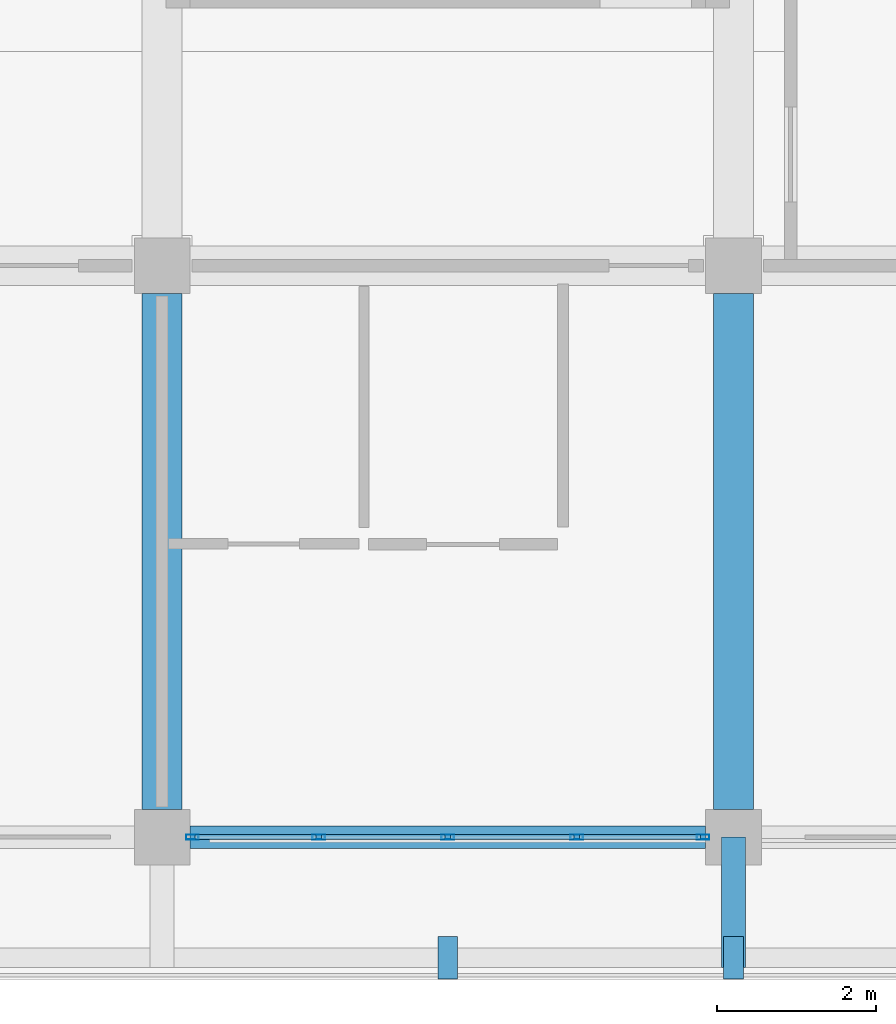
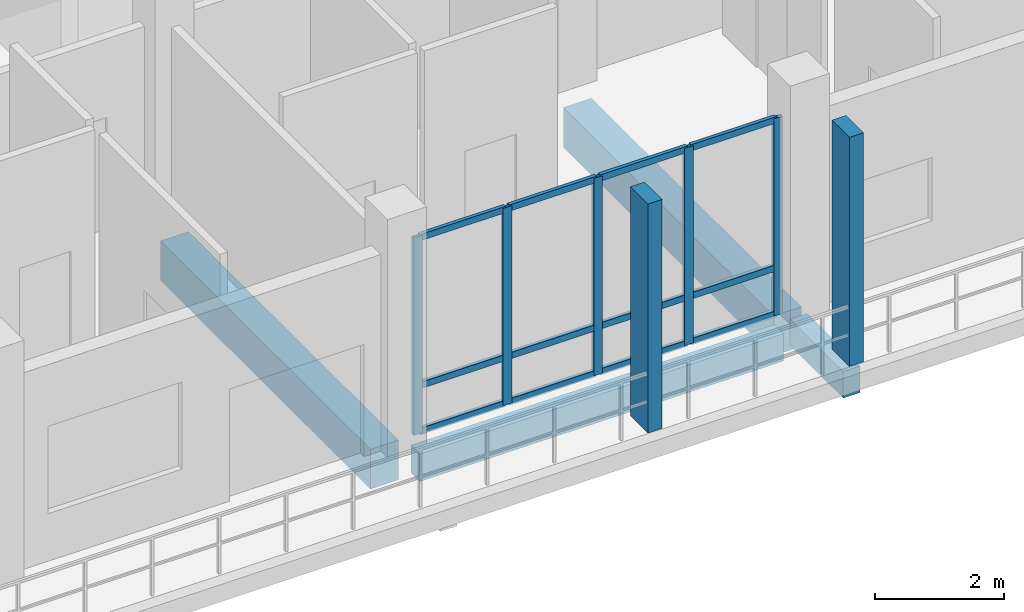
# One storey, part 15 of 110: 19 members, 4 beams, 1 element without a shape of its own.
"""IFC4 building model written with IfcOpenShell, lengths in metres."""

from ifc_helpers import new_model, si_unit, direction, frame, origin, origin_2d, place, context, subcontext, project, spatial, rectangle, hollow_rectangle, extrude, material, material_profile, profile_set, type_object, element, aggregate, save


model = new_model("IFC4")

# Units and contexts
model_context = context("Model", 3, precision=1e-05, world=origin(), true_north=direction((0.0, 1.0)))
body_context = subcontext(model_context, "Body", "Model", "MODEL_VIEW")
ifc_project = project(units=[si_unit("LENGTHUNIT", "METRE"), si_unit("AREAUNIT", "SQUARE_METRE"), si_unit("VOLUMEUNIT", "CUBIC_METRE"), si_unit("PLANEANGLEUNIT", "RADIAN"), si_unit("MASSUNIT", "GRAM", prefix="KILO")], contexts=[model_context])

# Site, building, storey
site_placement = place(None, origin())
site = spatial("IfcSite", under=ifc_project, at=site_placement, CompositionType="ELEMENT")
building_placement = place(site_placement, origin())
building = spatial("IfcBuilding", under=site, at=building_placement, Name="Suanplinth Sawtooth Commons", CompositionType="ELEMENT")
storey_placement = place(building_placement, frame((0.0, 0.0, 4.5)))
storey = spatial("IfcBuildingStorey", under=building, at=storey_placement, Name="L01", CompositionType="ELEMENT", Elevation=4.5)

# Beams
ifc_material_1 = material(Name="Concrete C40/50", Category="concrete")
ifc_material_profile_1 = material_profile(ifc_material_1, rectangle(XDim=0.5, YDim=0.75, at=origin_2d()), Name="RC-GDR 500x750")
ifc_profile_set_1 = profile_set([ifc_material_profile_1], Name="Concrete C40/50")
beam_type_1 = type_object("IfcBeamType", Name="B-03", PredefinedType="USERDEFINED", material=ifc_profile_set_1)
for number, where, z_axis, x_axis, name in (
    (1, (14.39990234375, 0.35009765625, -0.675048828125), (0.0, 1.0, 0.0), (-1.0, 0.0, 0.0), "BMY-L01-D-2-0"),
    (2, (21.60009765625, 0.35009765625, -0.675048828125), (0.0, 1.0, 0.0), (-1.0, 0.0, 0.0), "BMY-L01-D-3-0"),
):
    element("IfcBeam", number, at=place(storey_placement, frame(where, z_axis=z_axis, x_axis=x_axis)), inside=storey, type_object=beam_type_1, Name=name, ObjectType="GIRDER", PredefinedType="USERDEFINED", context=body_context, shape_type="SweptSolid", body=[
        extrude(rectangle(XDim=0.5, YDim=0.75, at=origin_2d()), origin(), (0.0, 0.0, 1.0), 6.5),
    ])
ifc_material_2 = material(Name="Precast concrete C40/50", Category="concrete")
ifc_material_profile_2 = material_profile(ifc_material_2, rectangle(XDim=0.300048828125, YDim=0.5, at=origin_2d()), Name="PC-BM 300x500")
ifc_profile_set_2 = profile_set([ifc_material_profile_2], Name="Precast concrete C40/50")
beam_type_2 = type_object("IfcBeamType", Name="B-07", PredefinedType="BEAM", material=ifc_profile_set_2)
beam_1_placement = place(storey_placement, frame((21.60009765625, 0.0, -0.429931640625), z_axis=(0.0, -1.0, 0.0), x_axis=(1.0, 0.0, 0.0)))
element("IfcBeam", 3, at=beam_1_placement, inside=storey, type_object=beam_type_2, Name="Balcony Outrigger L01-D-S-3", PredefinedType="BEAM", context=body_context, shape_type="SweptSolid", body=[
    extrude(rectangle(XDim=0.300048828125, YDim=0.5, at=origin_2d()), origin(), (0.0, 0.0, 1.0), 1.639892578125),
])
ifc_material_profile_3 = material_profile(ifc_material_2, rectangle(XDim=0.280029296875, YDim=0.52001953125, at=origin_2d()), Name="PC-SP 280x520")
ifc_profile_set_3 = profile_set([ifc_material_profile_3], Name="Precast concrete C40/50")
beam_type_3 = type_object("IfcBeamType", Name="B-08", PredefinedType="SPANDREL", material=ifc_profile_set_3)
beam_2_placement = place(storey_placement, frame((14.75, 0.0, -0.56005859375), z_axis=(1.0, 0.0, 0.0), x_axis=(0.0, 1.0, 0.0)))
element("IfcBeam", 4, at=beam_2_placement, inside=storey, type_object=beam_type_3, Name="BMX-L01-D-2-0", PredefinedType="SPANDREL", context=body_context, shape_type="SweptSolid", body=[
    extrude(rectangle(XDim=0.280029296875, YDim=0.52001953125, at=origin_2d()), origin(), (0.0, 0.0, 1.0), 6.5),
])

# Members
ifc_material_3 = material(Name="Pigmented precast concrete C40/50", Category="concrete")
ifc_material_profile_4 = material_profile(ifc_material_3, rectangle(XDim=0.25, YDim=0.5400390625, at=origin_2d()), Name="PC-FIN 250x540")
ifc_profile_set_4 = profile_set([ifc_material_profile_4], Name="Pigmented precast concrete C40/50")
member_type_1 = type_object("IfcMemberType", Name="M-11", PredefinedType="USERDEFINED", material=ifc_profile_set_4)
for number, where, z_axis, x_axis, name in (
    (5, (18.0, -1.52001953125, 0.0), (0.0, 0.0, 1.0), (1.0, 0.0, 0.0), "Upright Solar Blade L01-D-S-02"),
    (6, (21.60009765625, -1.52001953125, 0.0), (0.0, 0.0, 1.0), (1.0, 0.0, 0.0), "Upright Solar Blade L01-D-S-03"),
):
    element("IfcMember", number, at=place(storey_placement, frame(where, z_axis=z_axis, x_axis=x_axis)), inside=storey, type_object=member_type_1, Name=name, ObjectType="SHADING FIN", PredefinedType="USERDEFINED", context=body_context, shape_type="SweptSolid", body=[
        extrude(rectangle(XDim=0.25, YDim=0.5400390625, at=origin_2d()), origin(), (0.0, 0.0, 1.0), 4.330078125),
    ])

# Curtain wall, members
ifc_material_4 = material(Name="Anodized aluminium and low-E glazing", Category="aluminium")
curtain_wall_type = type_object("IfcCurtainWallType", Name="CW-06", PredefinedType="USERDEFINED", material=ifc_material_4)
curtain_wall_placement = place(storey_placement, origin())
curtain_wall = element("IfcCurtainWall", 7, at=curtain_wall_placement, inside=storey, type_object=curtain_wall_type, Name="Curtain Wall CW-L01-D-LOUNGE-2", ObjectType="CURTAIN WALL", PredefinedType="USERDEFINED")
ifc_material_5 = material(Name="Anodized aluminium 6063-T6", Category="aluminium")
ifc_material_profile_5 = material_profile(ifc_material_5, hollow_rectangle(XDim=0.06494140625, YDim=0.159912109375, WallThickness=0.00390625, at=origin_2d()), Name="ALU-MUL 65x160")
ifc_profile_set_5 = profile_set([ifc_material_profile_5], Name="Anodized aluminium 6063-T6")
member_type_2 = type_object("IfcMemberType", Name="M-13", PredefinedType="MULLION", material=ifc_profile_set_5)
member_1_placement = place(storey_placement, frame((14.782470703125, 0.0, 0.0), z_axis=(0.0, 0.0, 1.0), x_axis=(0.0, 1.0, 0.0)))
member_1 = element("IfcMember", 8, at=member_1_placement, type_object=member_type_2, Name="CW-06 mullion 1", PredefinedType="MULLION", context=body_context, shape_type="SweptSolid", body=[
    extrude(hollow_rectangle(XDim=0.06494140625, YDim=0.159912109375, WallThickness=0.00390625, at=origin_2d()), origin(), (0.0, 0.0, 1.0), 3.72998046875),
])
member_2_placement = place(storey_placement, frame((16.375, 0.0, 0.0), z_axis=(0.0, 0.0, 1.0), x_axis=(0.0, 1.0, 0.0)))
member_2 = element("IfcMember", 9, at=member_2_placement, type_object=member_type_2, Name="CW-06 mullion 2", PredefinedType="MULLION", context=body_context, shape_type="SweptSolid", body=[
    extrude(hollow_rectangle(XDim=0.06494140625, YDim=0.159912109375, WallThickness=0.00390625, at=origin_2d()), origin(), (0.0, 0.0, 1.0), 3.72998046875),
])
member_3_placement = place(storey_placement, frame((18.0, 0.0, 0.0), z_axis=(0.0, 0.0, 1.0), x_axis=(0.0, 1.0, 0.0)))
member_3 = element("IfcMember", 10, at=member_3_placement, type_object=member_type_2, Name="CW-06 mullion 3", PredefinedType="MULLION", context=body_context, shape_type="SweptSolid", body=[
    extrude(hollow_rectangle(XDim=0.06494140625, YDim=0.159912109375, WallThickness=0.00390625, at=origin_2d()), origin(), (0.0, 0.0, 1.0), 3.72998046875),
])
member_4_placement = place(storey_placement, frame((19.625, 0.0, 0.0), z_axis=(0.0, 0.0, 1.0), x_axis=(0.0, 1.0, 0.0)))
member_4 = element("IfcMember", 11, at=member_4_placement, type_object=member_type_2, Name="CW-06 mullion 4", PredefinedType="MULLION", context=body_context, shape_type="SweptSolid", body=[
    extrude(hollow_rectangle(XDim=0.06494140625, YDim=0.159912109375, WallThickness=0.00390625, at=origin_2d()), origin(), (0.0, 0.0, 1.0), 3.72998046875),
])
member_5_placement = place(storey_placement, frame((21.217529296875, 0.0, 0.0), z_axis=(0.0, 0.0, 1.0), x_axis=(0.0, 1.0, 0.0)))
member_5 = element("IfcMember", 12, at=member_5_placement, type_object=member_type_2, Name="CW-06 mullion 5", PredefinedType="MULLION", context=body_context, shape_type="SweptSolid", body=[
    extrude(hollow_rectangle(XDim=0.06494140625, YDim=0.159912109375, WallThickness=0.00390625, at=origin_2d()), origin(), (0.0, 0.0, 1.0), 3.72998046875),
])
ifc_material_profile_6 = material_profile(ifc_material_5, hollow_rectangle(XDim=0.06494140625, YDim=0.1201171875, WallThickness=0.00390625, at=origin_2d()), Name="ALU-TRN 65x120")
ifc_profile_set_6 = profile_set([ifc_material_profile_6], Name="Anodized aluminium 6063-T6")
member_type_3 = type_object("IfcMemberType", Name="M-15", PredefinedType="USERDEFINED", material=ifc_profile_set_6)
member_6_placement = place(storey_placement, frame((14.81494140625, 0.0, 0.032470703125), z_axis=(1.0, 0.0, 0.0), x_axis=(0.0, 1.0, 0.0)))
member_6 = element("IfcMember", 13, at=member_6_placement, type_object=member_type_3, Name="CW-06 transom 1.1", ObjectType="TRANSOM", PredefinedType="USERDEFINED", context=body_context, shape_type="SweptSolid", body=[
    extrude(hollow_rectangle(XDim=0.06494140625, YDim=0.1201171875, WallThickness=0.00390625, at=origin_2d()), origin(), (0.0, 0.0, 1.0), 1.527587890625),
])
member_7_placement = place(storey_placement, frame((14.81494140625, 0.0, 0.89990234375), z_axis=(1.0, 0.0, 0.0), x_axis=(0.0, 1.0, 0.0)))
member_7 = element("IfcMember", 14, at=member_7_placement, type_object=member_type_3, Name="CW-06 transom 1.2", ObjectType="TRANSOM", PredefinedType="USERDEFINED", context=body_context, shape_type="SweptSolid", body=[
    extrude(hollow_rectangle(XDim=0.06494140625, YDim=0.1201171875, WallThickness=0.00390625, at=origin_2d()), origin(), (0.0, 0.0, 1.0), 1.527587890625),
])
member_8_placement = place(storey_placement, frame((14.81494140625, 0.0, 3.697509765625), z_axis=(1.0, 0.0, 0.0), x_axis=(0.0, 1.0, 0.0)))
member_8 = element("IfcMember", 15, at=member_8_placement, type_object=member_type_3, Name="CW-06 transom 1.3", ObjectType="TRANSOM", PredefinedType="USERDEFINED", context=body_context, shape_type="SweptSolid", body=[
    extrude(hollow_rectangle(XDim=0.06494140625, YDim=0.1201171875, WallThickness=0.00390625, at=origin_2d()), origin(), (0.0, 0.0, 1.0), 1.527587890625),
])
member_9_placement = place(storey_placement, frame((16.407470703125, 0.0, 0.032470703125), z_axis=(1.0, 0.0, 0.0), x_axis=(0.0, 1.0, 0.0)))
member_9 = element("IfcMember", 16, at=member_9_placement, type_object=member_type_3, Name="CW-06 transom 2.1", ObjectType="TRANSOM", PredefinedType="USERDEFINED", context=body_context, shape_type="SweptSolid", body=[
    extrude(hollow_rectangle(XDim=0.06494140625, YDim=0.1201171875, WallThickness=0.00390625, at=origin_2d()), origin(), (0.0, 0.0, 1.0), 1.56005859375),
])
member_10_placement = place(storey_placement, frame((16.407470703125, 0.0, 0.89990234375), z_axis=(1.0, 0.0, 0.0), x_axis=(0.0, 1.0, 0.0)))
member_10 = element("IfcMember", 17, at=member_10_placement, type_object=member_type_3, Name="CW-06 transom 2.2", ObjectType="TRANSOM", PredefinedType="USERDEFINED", context=body_context, shape_type="SweptSolid", body=[
    extrude(hollow_rectangle(XDim=0.06494140625, YDim=0.1201171875, WallThickness=0.00390625, at=origin_2d()), origin(), (0.0, 0.0, 1.0), 1.56005859375),
])
member_11_placement = place(storey_placement, frame((16.407470703125, 0.0, 3.697509765625), z_axis=(1.0, 0.0, 0.0), x_axis=(0.0, 1.0, 0.0)))
member_11 = element("IfcMember", 18, at=member_11_placement, type_object=member_type_3, Name="CW-06 transom 2.3", ObjectType="TRANSOM", PredefinedType="USERDEFINED", context=body_context, shape_type="SweptSolid", body=[
    extrude(hollow_rectangle(XDim=0.06494140625, YDim=0.1201171875, WallThickness=0.00390625, at=origin_2d()), origin(), (0.0, 0.0, 1.0), 1.56005859375),
])
member_12_placement = place(storey_placement, frame((18.032470703125, 0.0, 0.032470703125), z_axis=(1.0, 0.0, 0.0), x_axis=(0.0, 1.0, 0.0)))
member_12 = element("IfcMember", 19, at=member_12_placement, type_object=member_type_3, Name="CW-06 transom 3.1", ObjectType="TRANSOM", PredefinedType="USERDEFINED", context=body_context, shape_type="SweptSolid", body=[
    extrude(hollow_rectangle(XDim=0.06494140625, YDim=0.1201171875, WallThickness=0.00390625, at=origin_2d()), origin(), (0.0, 0.0, 1.0), 1.56005859375),
])
member_13_placement = place(storey_placement, frame((18.032470703125, 0.0, 0.89990234375), z_axis=(1.0, 0.0, 0.0), x_axis=(0.0, 1.0, 0.0)))
member_13 = element("IfcMember", 20, at=member_13_placement, type_object=member_type_3, Name="CW-06 transom 3.2", ObjectType="TRANSOM", PredefinedType="USERDEFINED", context=body_context, shape_type="SweptSolid", body=[
    extrude(hollow_rectangle(XDim=0.06494140625, YDim=0.1201171875, WallThickness=0.00390625, at=origin_2d()), origin(), (0.0, 0.0, 1.0), 1.56005859375),
])
member_14_placement = place(storey_placement, frame((18.032470703125, 0.0, 3.697509765625), z_axis=(1.0, 0.0, 0.0), x_axis=(0.0, 1.0, 0.0)))
member_14 = element("IfcMember", 21, at=member_14_placement, type_object=member_type_3, Name="CW-06 transom 3.3", ObjectType="TRANSOM", PredefinedType="USERDEFINED", context=body_context, shape_type="SweptSolid", body=[
    extrude(hollow_rectangle(XDim=0.06494140625, YDim=0.1201171875, WallThickness=0.00390625, at=origin_2d()), origin(), (0.0, 0.0, 1.0), 1.56005859375),
])
member_15_placement = place(storey_placement, frame((19.657470703125, 0.0, 0.032470703125), z_axis=(1.0, 0.0, 0.0), x_axis=(0.0, 1.0, 0.0)))
member_15 = element("IfcMember", 22, at=member_15_placement, type_object=member_type_3, Name="CW-06 transom 4.1", ObjectType="TRANSOM", PredefinedType="USERDEFINED", context=body_context, shape_type="SweptSolid", body=[
    extrude(hollow_rectangle(XDim=0.06494140625, YDim=0.1201171875, WallThickness=0.00390625, at=origin_2d()), origin(), (0.0, 0.0, 1.0), 1.527587890625),
])
member_16_placement = place(storey_placement, frame((19.657470703125, 0.0, 0.89990234375), z_axis=(1.0, 0.0, 0.0), x_axis=(0.0, 1.0, 0.0)))
member_16 = element("IfcMember", 23, at=member_16_placement, type_object=member_type_3, Name="CW-06 transom 4.2", ObjectType="TRANSOM", PredefinedType="USERDEFINED", context=body_context, shape_type="SweptSolid", body=[
    extrude(hollow_rectangle(XDim=0.06494140625, YDim=0.1201171875, WallThickness=0.00390625, at=origin_2d()), origin(), (0.0, 0.0, 1.0), 1.527587890625),
])
member_17_placement = place(storey_placement, frame((19.657470703125, 0.0, 3.697509765625), z_axis=(1.0, 0.0, 0.0), x_axis=(0.0, 1.0, 0.0)))
member_17 = element("IfcMember", 24, at=member_17_placement, type_object=member_type_3, Name="CW-06 transom 4.3", ObjectType="TRANSOM", PredefinedType="USERDEFINED", context=body_context, shape_type="SweptSolid", body=[
    extrude(hollow_rectangle(XDim=0.06494140625, YDim=0.1201171875, WallThickness=0.00390625, at=origin_2d()), origin(), (0.0, 0.0, 1.0), 1.527587890625),
])
aggregate(curtain_wall, [member_1, member_2, member_3, member_4, member_5, member_6, member_7, member_8, member_9, member_10, member_11, member_12, member_13, member_14, member_15, member_16, member_17])

save(model, "model.ifc")
